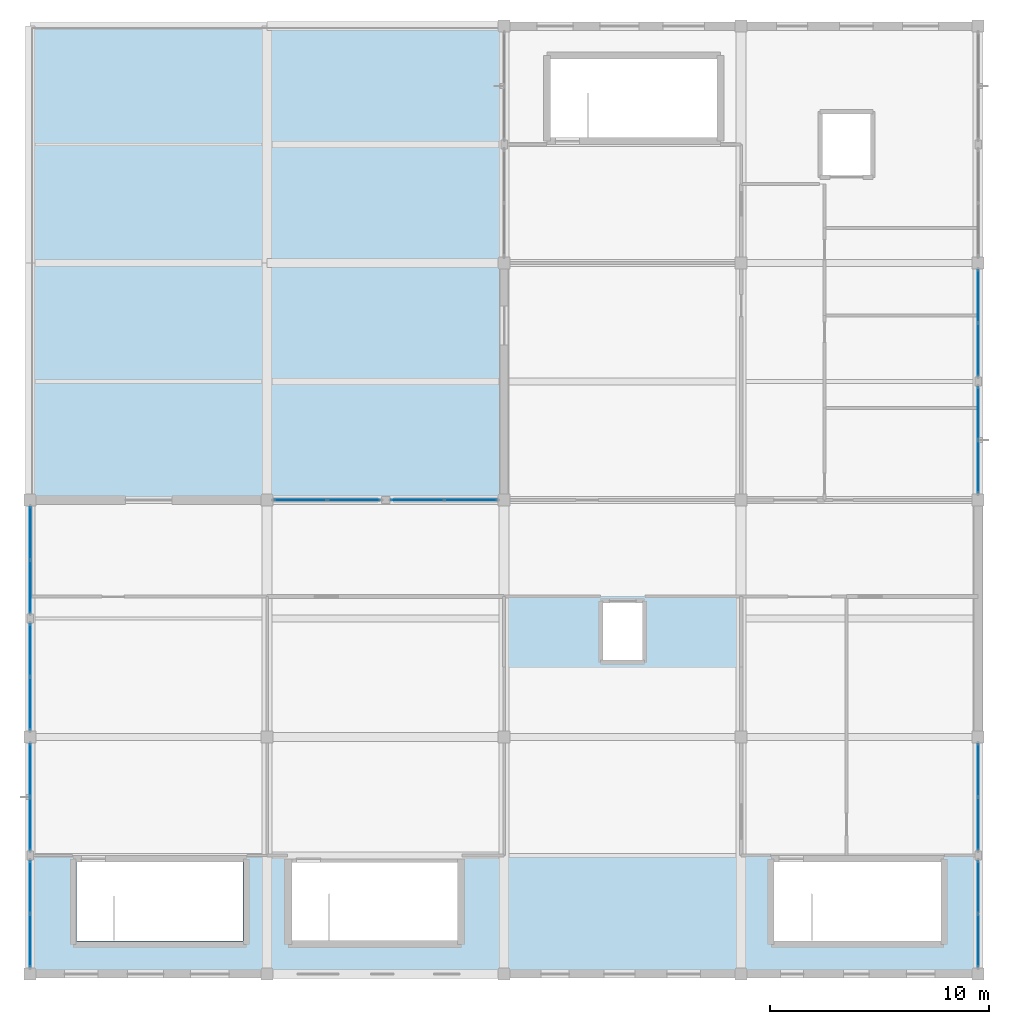
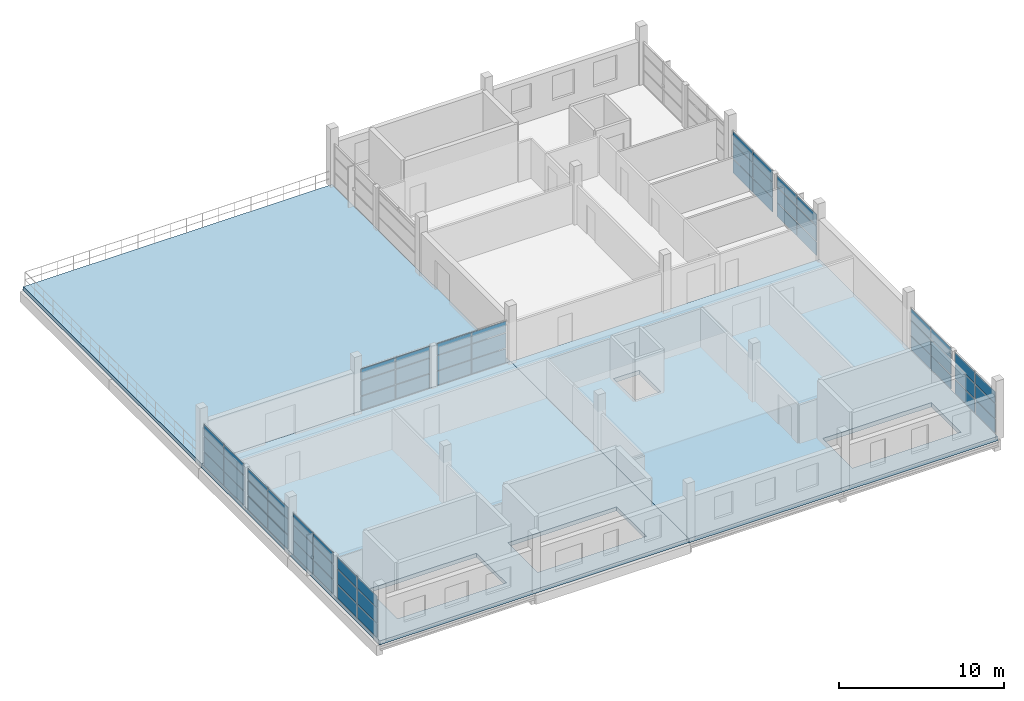
# One storey, part 10 of 15: 60 plates, 3 slabs, 10 elements without a shape of their own.
"""IFC4 building model written with IfcOpenShell, lengths in metres."""

from ifc_helpers import new_model, si_unit, direction, frame, origin, origin_2d, place, context, subcontext, project, spatial, polyline, rectangle, outline, extrude, material, layer, layer_set, type_object, element, aggregate, save


model = new_model("IFC4")

# Units and contexts
model_context = context("Model", 3, precision=1e-05, world=origin(), true_north=direction((0.0, 1.0)))
body_context = subcontext(model_context, "Body", "Model", "MODEL_VIEW")
ifc_project = project(units=[si_unit("LENGTHUNIT", "METRE"), si_unit("AREAUNIT", "SQUARE_METRE"), si_unit("VOLUMEUNIT", "CUBIC_METRE"), si_unit("PLANEANGLEUNIT", "RADIAN"), si_unit("MASSUNIT", "GRAM", prefix="KILO")], contexts=[model_context])

# Site, building, storey
site_placement = place(None, origin())
site = spatial("IfcSite", under=ifc_project, at=site_placement, CompositionType="ELEMENT")
building_placement = place(site_placement, origin())
building = spatial("IfcBuilding", under=site, at=building_placement, Name="Zwinboog Wholesale Market", CompositionType="ELEMENT")
storey_placement = place(building_placement, frame((0.0, 0.0, 14.760009765625)))
storey = spatial("IfcBuildingStorey", under=building, at=storey_placement, Name="L03", CompositionType="ELEMENT", Elevation=14.760009765625)

# Slabs
ifc_material_1 = material(Name="Precast concrete C45/55", Category="concrete")
ifc_layer_1 = layer(ifc_material_1, 0.2919921875)
ifc_layer_set_1 = layer_set([ifc_layer_1], Name="Precast concrete C45/55")
slab_type_1 = type_object("IfcSlabType", Name="SLT-FL-292", PredefinedType="FLOOR", material=ifc_layer_set_1)
slab_1_placement = place(storey_placement, frame((0.0, 0.0, -0.2919921875)))
element("IfcSlab", 1, at=slab_1_placement, inside=storey, type_object=slab_type_1, Name="SF-292 (SLB-L03-059)", PredefinedType="FLOOR", context=body_context, shape_type="SweptSolid", body=[
    extrude(outline(polyline([(129.60009765625, 0.0), (151.199951171875, 0.0), (151.199951171875, 21.60009765625), (129.60009765625, 21.60009765625), (129.60009765625, 0.0)]), holes=[polyline([(131.699951171875, 1.5), (139.300048828125, 1.5), (139.300048828125, 5.10009765625), (131.699951171875, 5.10009765625), (131.699951171875, 1.5)]), polyline([(141.5, 1.5), (149.10009765625, 1.5), (149.10009765625, 5.10009765625), (141.5, 5.10009765625), (141.5, 1.5)])]), origin(), (0.0, 0.0, 1.0), 0.2919921875),
])
ifc_layer_2 = layer(ifc_material_1, 0.318115234375)
ifc_layer_set_2 = layer_set([ifc_layer_2], Name="Precast concrete C45/55")
slab_type_2 = type_object("IfcSlabType", Name="SLT-FL-318", PredefinedType="FLOOR", material=ifc_layer_set_2)
slab_2_placement = place(storey_placement, frame((0.0, 0.0, -0.318115234375)))
element("IfcSlab", 2, at=slab_2_placement, inside=storey, type_object=slab_type_2, Name="SF-318 (SLB-L03-060)", PredefinedType="FLOOR", context=body_context, shape_type="SweptSolid", body=[
    extrude(outline(polyline([(151.199951171875, 0.0), (172.800048828125, 0.0), (172.800048828125, 21.60009765625), (151.199951171875, 21.60009765625), (151.199951171875, 0.0)]), holes=[polyline([(163.5, 1.5), (171.10009765625, 1.5), (171.10009765625, 5.10009765625), (163.5, 5.10009765625), (163.5, 1.5)]), polyline([(155.699951171875, 14.300048828125), (157.5, 14.300048828125), (157.5, 16.89990234375), (155.699951171875, 16.89990234375), (155.699951171875, 14.300048828125)])]), origin(), (0.0, 0.0, 1.0), 0.318115234375),
])
ifc_material_2 = material(Name="Concrete C40/50", Category="concrete")
ifc_layer_3 = layer(ifc_material_2, 0.285888671875)
ifc_layer_set_3 = layer_set([ifc_layer_3], Name="Concrete C40/50")
slab_type_3 = type_object("IfcSlabType", Name="SLT-EX-286", PredefinedType="FLOOR", material=ifc_layer_set_3)
slab_3_placement = place(storey_placement, frame((0.0, 0.0, -0.285888671875)))
element("IfcSlab", 3, at=slab_3_placement, inside=storey, type_object=slab_type_3, Name="Traders' Cooperative Park Roof Terrace", PredefinedType="FLOOR", context=body_context, shape_type="SweptSolid", body=[
    extrude(outline(polyline([(129.60009765625, 21.60009765625), (151.199951171875, 21.60009765625), (151.199951171875, 43.199951171875), (129.60009765625, 43.199951171875), (129.60009765625, 21.60009765625)])), origin(), (0.0, 0.0, 1.0), 0.285888671875),
])

# Curtain wall, plates
ifc_material_3 = material(Name="Aluminium thermally broken curtain wall", Category="aluminium")
curtain_wall_type_1 = type_object("IfcCurtainWallType", Name="CWT-CAFE-22", PredefinedType="USERDEFINED", material=ifc_material_3)
curtain_wall_1_placement = place(storey_placement, origin())
curtain_wall_1 = element("IfcCurtainWall", 4, at=curtain_wall_1_placement, inside=storey, type_object=curtain_wall_type_1, Name="CW-05 (CW-L03-167)", ObjectType="STOREFRONT_GLAZING", PredefinedType="USERDEFINED")
ifc_material_4 = material(Name="Double low-e insulated glazing", Category="glass")
ifc_layer_4 = layer(ifc_material_4, 0.031982421875)
ifc_layer_set_4 = layer_set([ifc_layer_4], Name="Double low-e insulated glazing")
plate_type = type_object("IfcPlateType", Name="CWP-IGU-32", PredefinedType="CURTAIN_PANEL", material=ifc_layer_set_4)
plate_1_placement = place(storey_placement, frame((129.60009765625, 1.518798828125, 0.06494140625), z_axis=(0.0, 0.0, 1.0), x_axis=(0.0, 1.0, 0.0)))
plate_1 = element("IfcPlate", 5, at=plate_1_placement, type_object=plate_type, Name="CW-05 panel 1.1", PredefinedType="CURTAIN_PANEL", context=body_context, shape_type="SweptSolid", body=[
    extrude(rectangle(XDim=2.367431640625, YDim=0.031982421875, at=origin_2d()), origin(), (0.0, 0.0, 1.0), 1.00244140625),
])
plate_2_placement = place(storey_placement, frame((129.60009765625, 1.518798828125, 1.132568359375), z_axis=(0.0, 0.0, 1.0), x_axis=(0.0, 1.0, 0.0)))
plate_2 = element("IfcPlate", 6, at=plate_2_placement, type_object=plate_type, Name="CW-05 panel 1.2", PredefinedType="CURTAIN_PANEL", context=body_context, shape_type="SweptSolid", body=[
    extrude(rectangle(XDim=2.367431640625, YDim=0.031982421875, at=origin_2d()), origin(), (0.0, 0.0, 1.0), 1.0849609375),
])
plate_3_placement = place(storey_placement, frame((129.60009765625, 1.518798828125, 2.28271484375), z_axis=(0.0, 0.0, 1.0), x_axis=(0.0, 1.0, 0.0)))
plate_3 = element("IfcPlate", 7, at=plate_3_placement, type_object=plate_type, Name="CW-05 panel 1.3", PredefinedType="CURTAIN_PANEL", context=body_context, shape_type="SweptSolid", body=[
    extrude(rectangle(XDim=2.367431640625, YDim=0.031982421875, at=origin_2d()), origin(), (0.0, 0.0, 1.0), 0.822509765625),
])
plate_4_placement = place(storey_placement, frame((129.60009765625, 3.951171875, 0.06494140625), z_axis=(0.0, 0.0, 1.0), x_axis=(0.0, 1.0, 0.0)))
plate_4 = element("IfcPlate", 8, at=plate_4_placement, type_object=plate_type, Name="CW-05 panel 2.1", PredefinedType="CURTAIN_PANEL", context=body_context, shape_type="SweptSolid", body=[
    extrude(rectangle(XDim=2.367431640625, YDim=0.031982421875, at=origin_2d()), origin(), (0.0, 0.0, 1.0), 1.00244140625),
])
plate_5_placement = place(storey_placement, frame((129.60009765625, 3.951171875, 1.132568359375), z_axis=(0.0, 0.0, 1.0), x_axis=(0.0, 1.0, 0.0)))
plate_5 = element("IfcPlate", 9, at=plate_5_placement, type_object=plate_type, Name="CW-05 panel 2.2", PredefinedType="CURTAIN_PANEL", context=body_context, shape_type="SweptSolid", body=[
    extrude(rectangle(XDim=2.367431640625, YDim=0.031982421875, at=origin_2d()), origin(), (0.0, 0.0, 1.0), 1.0849609375),
])
plate_6_placement = place(storey_placement, frame((129.60009765625, 3.951171875, 2.28271484375), z_axis=(0.0, 0.0, 1.0), x_axis=(0.0, 1.0, 0.0)))
plate_6 = element("IfcPlate", 10, at=plate_6_placement, type_object=plate_type, Name="CW-05 panel 2.3", PredefinedType="CURTAIN_PANEL", context=body_context, shape_type="SweptSolid", body=[
    extrude(rectangle(XDim=2.367431640625, YDim=0.031982421875, at=origin_2d()), origin(), (0.0, 0.0, 1.0), 0.822509765625),
])
aggregate(curtain_wall_1, [plate_1, plate_2, plate_3, plate_4, plate_5, plate_6])

curtain_wall_type_2 = type_object("IfcCurtainWallType", Name="CWT-OFF-15", PredefinedType="USERDEFINED", material=ifc_material_3)
curtain_wall_2_placement = place(storey_placement, origin())
curtain_wall_2 = element("IfcCurtainWall", 11, at=curtain_wall_2_placement, inside=storey, type_object=curtain_wall_type_2, Name="CW-06 (CW-L03-168)", ObjectType="UNITIZED_CURTAIN_WALL", PredefinedType="USERDEFINED")
plate_7_placement = place(storey_placement, frame((129.60009765625, 6.847412109375, 0.06005859375), z_axis=(0.0, 0.0, 1.0), x_axis=(0.0, 1.0, 0.0)))
plate_7 = element("IfcPlate", 12, at=plate_7_placement, type_object=plate_type, Name="CW-06 panel 1.1", PredefinedType="CURTAIN_PANEL", context=body_context, shape_type="SweptSolid", body=[
    extrude(rectangle(XDim=2.375, YDim=0.031982421875, at=origin_2d()), origin(), (0.0, 0.0, 1.0), 1.010009765625),
])
plate_8_placement = place(storey_placement, frame((129.60009765625, 6.847412109375, 1.1298828125), z_axis=(0.0, 0.0, 1.0), x_axis=(0.0, 1.0, 0.0)))
plate_8 = element("IfcPlate", 13, at=plate_8_placement, type_object=plate_type, Name="CW-06 panel 1.2", PredefinedType="CURTAIN_PANEL", context=body_context, shape_type="SweptSolid", body=[
    extrude(rectangle(XDim=2.375, YDim=0.031982421875, at=origin_2d()), origin(), (0.0, 0.0, 1.0), 1.090087890625),
])
plate_9_placement = place(storey_placement, frame((129.60009765625, 6.847412109375, 2.280029296875), z_axis=(0.0, 0.0, 1.0), x_axis=(0.0, 1.0, 0.0)))
plate_9 = element("IfcPlate", 14, at=plate_9_placement, type_object=plate_type, Name="CW-06 panel 1.3", PredefinedType="CURTAIN_PANEL", context=body_context, shape_type="SweptSolid", body=[
    extrude(rectangle(XDim=2.375, YDim=0.031982421875, at=origin_2d()), origin(), (0.0, 0.0, 1.0), 0.830078125),
])
plate_10_placement = place(storey_placement, frame((129.60009765625, 9.282470703125, 0.06005859375), z_axis=(0.0, 0.0, 1.0), x_axis=(0.0, 1.0, 0.0)))
plate_10 = element("IfcPlate", 15, at=plate_10_placement, type_object=plate_type, Name="CW-06 panel 2.1", PredefinedType="CURTAIN_PANEL", context=body_context, shape_type="SweptSolid", body=[
    extrude(rectangle(XDim=2.375, YDim=0.031982421875, at=origin_2d()), origin(), (0.0, 0.0, 1.0), 1.010009765625),
])
plate_11_placement = place(storey_placement, frame((129.60009765625, 9.282470703125, 1.1298828125), z_axis=(0.0, 0.0, 1.0), x_axis=(0.0, 1.0, 0.0)))
plate_11 = element("IfcPlate", 16, at=plate_11_placement, type_object=plate_type, Name="CW-06 panel 2.2", PredefinedType="CURTAIN_PANEL", context=body_context, shape_type="SweptSolid", body=[
    extrude(rectangle(XDim=2.375, YDim=0.031982421875, at=origin_2d()), origin(), (0.0, 0.0, 1.0), 1.090087890625),
])
plate_12_placement = place(storey_placement, frame((129.60009765625, 9.282470703125, 2.280029296875), z_axis=(0.0, 0.0, 1.0), x_axis=(0.0, 1.0, 0.0)))
plate_12 = element("IfcPlate", 17, at=plate_12_placement, type_object=plate_type, Name="CW-06 panel 2.3", PredefinedType="CURTAIN_PANEL", context=body_context, shape_type="SweptSolid", body=[
    extrude(rectangle(XDim=2.375, YDim=0.031982421875, at=origin_2d()), origin(), (0.0, 0.0, 1.0), 0.830078125),
])
aggregate(curtain_wall_2, [plate_7, plate_8, plate_9, plate_10, plate_11, plate_12])

curtain_wall_type_3 = type_object("IfcCurtainWallType", Name="CWT-STALL-18", PredefinedType="USERDEFINED", material=ifc_material_3)
curtain_wall_3_placement = place(storey_placement, origin())
curtain_wall_3 = element("IfcCurtainWall", 18, at=curtain_wall_3_placement, inside=storey, type_object=curtain_wall_type_3, Name="CW-01 (CW-L03-169)", ObjectType="STOREFRONT_GLAZING", PredefinedType="USERDEFINED")
plate_13_placement = place(storey_placement, frame((129.60009765625, 12.31884765625, 0.06494140625), z_axis=(0.0, 0.0, 1.0), x_axis=(0.0, 1.0, 0.0)))
plate_13 = element("IfcPlate", 19, at=plate_13_placement, type_object=plate_type, Name="CW-01 panel 1.1", PredefinedType="CURTAIN_PANEL", context=body_context, shape_type="SweptSolid", body=[
    extrude(rectangle(XDim=2.367431640625, YDim=0.031982421875, at=origin_2d()), origin(), (0.0, 0.0, 1.0), 1.00244140625),
])
plate_14_placement = place(storey_placement, frame((129.60009765625, 12.31884765625, 1.132568359375), z_axis=(0.0, 0.0, 1.0), x_axis=(0.0, 1.0, 0.0)))
plate_14 = element("IfcPlate", 20, at=plate_14_placement, type_object=plate_type, Name="CW-01 panel 1.2", PredefinedType="CURTAIN_PANEL", context=body_context, shape_type="SweptSolid", body=[
    extrude(rectangle(XDim=2.367431640625, YDim=0.031982421875, at=origin_2d()), origin(), (0.0, 0.0, 1.0), 1.0849609375),
])
plate_15_placement = place(storey_placement, frame((129.60009765625, 12.31884765625, 2.28271484375), z_axis=(0.0, 0.0, 1.0), x_axis=(0.0, 1.0, 0.0)))
plate_15 = element("IfcPlate", 21, at=plate_15_placement, type_object=plate_type, Name="CW-01 panel 1.3", PredefinedType="CURTAIN_PANEL", context=body_context, shape_type="SweptSolid", body=[
    extrude(rectangle(XDim=2.367431640625, YDim=0.031982421875, at=origin_2d()), origin(), (0.0, 0.0, 1.0), 0.822509765625),
])
plate_16_placement = place(storey_placement, frame((129.60009765625, 14.751220703125, 0.06494140625), z_axis=(0.0, 0.0, 1.0), x_axis=(0.0, 1.0, 0.0)))
plate_16 = element("IfcPlate", 22, at=plate_16_placement, type_object=plate_type, Name="CW-01 panel 2.1", PredefinedType="CURTAIN_PANEL", context=body_context, shape_type="SweptSolid", body=[
    extrude(rectangle(XDim=2.367431640625, YDim=0.031982421875, at=origin_2d()), origin(), (0.0, 0.0, 1.0), 1.00244140625),
])
plate_17_placement = place(storey_placement, frame((129.60009765625, 14.751220703125, 1.132568359375), z_axis=(0.0, 0.0, 1.0), x_axis=(0.0, 1.0, 0.0)))
plate_17 = element("IfcPlate", 23, at=plate_17_placement, type_object=plate_type, Name="CW-01 panel 2.2", PredefinedType="CURTAIN_PANEL", context=body_context, shape_type="SweptSolid", body=[
    extrude(rectangle(XDim=2.367431640625, YDim=0.031982421875, at=origin_2d()), origin(), (0.0, 0.0, 1.0), 1.0849609375),
])
plate_18_placement = place(storey_placement, frame((129.60009765625, 14.751220703125, 2.28271484375), z_axis=(0.0, 0.0, 1.0), x_axis=(0.0, 1.0, 0.0)))
plate_18 = element("IfcPlate", 24, at=plate_18_placement, type_object=plate_type, Name="CW-01 panel 2.3", PredefinedType="CURTAIN_PANEL", context=body_context, shape_type="SweptSolid", body=[
    extrude(rectangle(XDim=2.367431640625, YDim=0.031982421875, at=origin_2d()), origin(), (0.0, 0.0, 1.0), 0.822509765625),
])
aggregate(curtain_wall_3, [plate_13, plate_14, plate_15, plate_16, plate_17, plate_18])

curtain_wall_type_4 = type_object("IfcCurtainWallType", Name="CWT-STALL-20", PredefinedType="USERDEFINED", material=ifc_material_3)
curtain_wall_4_placement = place(storey_placement, origin())
curtain_wall_4 = element("IfcCurtainWall", 25, at=curtain_wall_4_placement, inside=storey, type_object=curtain_wall_type_4, Name="CW-02 (CW-L03-170)", ObjectType="STOREFRONT_GLAZING", PredefinedType="USERDEFINED")
plate_19_placement = place(storey_placement, frame((129.60009765625, 17.6474609375, 0.06005859375), z_axis=(0.0, 0.0, 1.0), x_axis=(0.0, 1.0, 0.0)))
plate_19 = element("IfcPlate", 26, at=plate_19_placement, type_object=plate_type, Name="CW-02 panel 1.1", PredefinedType="CURTAIN_PANEL", context=body_context, shape_type="SweptSolid", body=[
    extrude(rectangle(XDim=2.375, YDim=0.031982421875, at=origin_2d()), origin(), (0.0, 0.0, 1.0), 1.010009765625),
])
plate_20_placement = place(storey_placement, frame((129.60009765625, 17.6474609375, 1.1298828125), z_axis=(0.0, 0.0, 1.0), x_axis=(0.0, 1.0, 0.0)))
plate_20 = element("IfcPlate", 27, at=plate_20_placement, type_object=plate_type, Name="CW-02 panel 1.2", PredefinedType="CURTAIN_PANEL", context=body_context, shape_type="SweptSolid", body=[
    extrude(rectangle(XDim=2.375, YDim=0.031982421875, at=origin_2d()), origin(), (0.0, 0.0, 1.0), 1.090087890625),
])
plate_21_placement = place(storey_placement, frame((129.60009765625, 17.6474609375, 2.280029296875), z_axis=(0.0, 0.0, 1.0), x_axis=(0.0, 1.0, 0.0)))
plate_21 = element("IfcPlate", 28, at=plate_21_placement, type_object=plate_type, Name="CW-02 panel 1.3", PredefinedType="CURTAIN_PANEL", context=body_context, shape_type="SweptSolid", body=[
    extrude(rectangle(XDim=2.375, YDim=0.031982421875, at=origin_2d()), origin(), (0.0, 0.0, 1.0), 0.830078125),
])
plate_22_placement = place(storey_placement, frame((129.60009765625, 20.08251953125, 0.06005859375), z_axis=(0.0, 0.0, 1.0), x_axis=(0.0, 1.0, 0.0)))
plate_22 = element("IfcPlate", 29, at=plate_22_placement, type_object=plate_type, Name="CW-02 panel 2.1", PredefinedType="CURTAIN_PANEL", context=body_context, shape_type="SweptSolid", body=[
    extrude(rectangle(XDim=2.375, YDim=0.031982421875, at=origin_2d()), origin(), (0.0, 0.0, 1.0), 1.010009765625),
])
plate_23_placement = place(storey_placement, frame((129.60009765625, 20.08251953125, 1.1298828125), z_axis=(0.0, 0.0, 1.0), x_axis=(0.0, 1.0, 0.0)))
plate_23 = element("IfcPlate", 30, at=plate_23_placement, type_object=plate_type, Name="CW-02 panel 2.2", PredefinedType="CURTAIN_PANEL", context=body_context, shape_type="SweptSolid", body=[
    extrude(rectangle(XDim=2.375, YDim=0.031982421875, at=origin_2d()), origin(), (0.0, 0.0, 1.0), 1.090087890625),
])
plate_24_placement = place(storey_placement, frame((129.60009765625, 20.08251953125, 2.280029296875), z_axis=(0.0, 0.0, 1.0), x_axis=(0.0, 1.0, 0.0)))
plate_24 = element("IfcPlate", 31, at=plate_24_placement, type_object=plate_type, Name="CW-02 panel 2.3", PredefinedType="CURTAIN_PANEL", context=body_context, shape_type="SweptSolid", body=[
    extrude(rectangle(XDim=2.375, YDim=0.031982421875, at=origin_2d()), origin(), (0.0, 0.0, 1.0), 0.830078125),
])
aggregate(curtain_wall_4, [plate_19, plate_20, plate_21, plate_22, plate_23, plate_24])

curtain_wall_type_5 = type_object("IfcCurtainWallType", Name="CWT-HALL-24", PredefinedType="USERDEFINED", material=ifc_material_3)
curtain_wall_5_placement = place(storey_placement, origin())
curtain_wall_5 = element("IfcCurtainWall", 32, at=curtain_wall_5_placement, inside=storey, type_object=curtain_wall_type_5, Name="CW-03 (CW-L03-171)", ObjectType="UNITIZED_CURTAIN_WALL", PredefinedType="USERDEFINED")
plate_25_placement = place(storey_placement, frame((141.918701171875, 21.60009765625, 0.06494140625), z_axis=(0.0, 0.0, 1.0), x_axis=(1.0, 0.0, 0.0)))
plate_25 = element("IfcPlate", 33, at=plate_25_placement, type_object=plate_type, Name="CW-03 panel 1.1", PredefinedType="CURTAIN_PANEL", context=body_context, shape_type="SweptSolid", body=[
    extrude(rectangle(XDim=2.367431640625, YDim=0.031982421875, at=origin_2d()), origin(), (0.0, 0.0, 1.0), 1.00244140625),
])
plate_26_placement = place(storey_placement, frame((141.918701171875, 21.60009765625, 1.132568359375), z_axis=(0.0, 0.0, 1.0), x_axis=(1.0, 0.0, 0.0)))
plate_26 = element("IfcPlate", 34, at=plate_26_placement, type_object=plate_type, Name="CW-03 panel 1.2", PredefinedType="CURTAIN_PANEL", context=body_context, shape_type="SweptSolid", body=[
    extrude(rectangle(XDim=2.367431640625, YDim=0.031982421875, at=origin_2d()), origin(), (0.0, 0.0, 1.0), 1.0849609375),
])
plate_27_placement = place(storey_placement, frame((141.918701171875, 21.60009765625, 2.28271484375), z_axis=(0.0, 0.0, 1.0), x_axis=(1.0, 0.0, 0.0)))
plate_27 = element("IfcPlate", 35, at=plate_27_placement, type_object=plate_type, Name="CW-03 panel 1.3", PredefinedType="CURTAIN_PANEL", context=body_context, shape_type="SweptSolid", body=[
    extrude(rectangle(XDim=2.367431640625, YDim=0.031982421875, at=origin_2d()), origin(), (0.0, 0.0, 1.0), 0.822509765625),
])
plate_28_placement = place(storey_placement, frame((144.351318359375, 21.60009765625, 0.06494140625), z_axis=(0.0, 0.0, 1.0), x_axis=(1.0, 0.0, 0.0)))
plate_28 = element("IfcPlate", 36, at=plate_28_placement, type_object=plate_type, Name="CW-03 panel 2.1", PredefinedType="CURTAIN_PANEL", context=body_context, shape_type="SweptSolid", body=[
    extrude(rectangle(XDim=2.367431640625, YDim=0.031982421875, at=origin_2d()), origin(), (0.0, 0.0, 1.0), 1.00244140625),
])
plate_29_placement = place(storey_placement, frame((144.351318359375, 21.60009765625, 1.132568359375), z_axis=(0.0, 0.0, 1.0), x_axis=(1.0, 0.0, 0.0)))
plate_29 = element("IfcPlate", 37, at=plate_29_placement, type_object=plate_type, Name="CW-03 panel 2.2", PredefinedType="CURTAIN_PANEL", context=body_context, shape_type="SweptSolid", body=[
    extrude(rectangle(XDim=2.367431640625, YDim=0.031982421875, at=origin_2d()), origin(), (0.0, 0.0, 1.0), 1.0849609375),
])
plate_30_placement = place(storey_placement, frame((144.351318359375, 21.60009765625, 2.28271484375), z_axis=(0.0, 0.0, 1.0), x_axis=(1.0, 0.0, 0.0)))
plate_30 = element("IfcPlate", 38, at=plate_30_placement, type_object=plate_type, Name="CW-03 panel 2.3", PredefinedType="CURTAIN_PANEL", context=body_context, shape_type="SweptSolid", body=[
    extrude(rectangle(XDim=2.367431640625, YDim=0.031982421875, at=origin_2d()), origin(), (0.0, 0.0, 1.0), 0.822509765625),
])
aggregate(curtain_wall_5, [plate_25, plate_26, plate_27, plate_28, plate_29, plate_30])

curtain_wall_type_6 = type_object("IfcCurtainWallType", Name="CWT-GAL-16", PredefinedType="USERDEFINED", material=ifc_material_3)
curtain_wall_6_placement = place(storey_placement, origin())
curtain_wall_6 = element("IfcCurtainWall", 39, at=curtain_wall_6_placement, inside=storey, type_object=curtain_wall_type_6, Name="CW-04 (CW-L03-172)", ObjectType="UNITIZED_CURTAIN_WALL", PredefinedType="USERDEFINED")
plate_31_placement = place(storey_placement, frame((147.24755859375, 21.60009765625, 0.06005859375), z_axis=(0.0, 0.0, 1.0), x_axis=(1.0, 0.0, 0.0)))
plate_31 = element("IfcPlate", 40, at=plate_31_placement, type_object=plate_type, Name="CW-04 panel 1.1", PredefinedType="CURTAIN_PANEL", context=body_context, shape_type="SweptSolid", body=[
    extrude(rectangle(XDim=2.375, YDim=0.031982421875, at=origin_2d()), origin(), (0.0, 0.0, 1.0), 1.010009765625),
])
plate_32_placement = place(storey_placement, frame((147.24755859375, 21.60009765625, 1.1298828125), z_axis=(0.0, 0.0, 1.0), x_axis=(1.0, 0.0, 0.0)))
plate_32 = element("IfcPlate", 41, at=plate_32_placement, type_object=plate_type, Name="CW-04 panel 1.2", PredefinedType="CURTAIN_PANEL", context=body_context, shape_type="SweptSolid", body=[
    extrude(rectangle(XDim=2.375, YDim=0.031982421875, at=origin_2d()), origin(), (0.0, 0.0, 1.0), 1.090087890625),
])
plate_33_placement = place(storey_placement, frame((147.24755859375, 21.60009765625, 2.280029296875), z_axis=(0.0, 0.0, 1.0), x_axis=(1.0, 0.0, 0.0)))
plate_33 = element("IfcPlate", 42, at=plate_33_placement, type_object=plate_type, Name="CW-04 panel 1.3", PredefinedType="CURTAIN_PANEL", context=body_context, shape_type="SweptSolid", body=[
    extrude(rectangle(XDim=2.375, YDim=0.031982421875, at=origin_2d()), origin(), (0.0, 0.0, 1.0), 0.830078125),
])
plate_34_placement = place(storey_placement, frame((149.6826171875, 21.60009765625, 0.06005859375), z_axis=(0.0, 0.0, 1.0), x_axis=(1.0, 0.0, 0.0)))
plate_34 = element("IfcPlate", 43, at=plate_34_placement, type_object=plate_type, Name="CW-04 panel 2.1", PredefinedType="CURTAIN_PANEL", context=body_context, shape_type="SweptSolid", body=[
    extrude(rectangle(XDim=2.375, YDim=0.031982421875, at=origin_2d()), origin(), (0.0, 0.0, 1.0), 1.010009765625),
])
plate_35_placement = place(storey_placement, frame((149.6826171875, 21.60009765625, 1.1298828125), z_axis=(0.0, 0.0, 1.0), x_axis=(1.0, 0.0, 0.0)))
plate_35 = element("IfcPlate", 44, at=plate_35_placement, type_object=plate_type, Name="CW-04 panel 2.2", PredefinedType="CURTAIN_PANEL", context=body_context, shape_type="SweptSolid", body=[
    extrude(rectangle(XDim=2.375, YDim=0.031982421875, at=origin_2d()), origin(), (0.0, 0.0, 1.0), 1.090087890625),
])
plate_36_placement = place(storey_placement, frame((149.6826171875, 21.60009765625, 2.280029296875), z_axis=(0.0, 0.0, 1.0), x_axis=(1.0, 0.0, 0.0)))
plate_36 = element("IfcPlate", 45, at=plate_36_placement, type_object=plate_type, Name="CW-04 panel 2.3", PredefinedType="CURTAIN_PANEL", context=body_context, shape_type="SweptSolid", body=[
    extrude(rectangle(XDim=2.375, YDim=0.031982421875, at=origin_2d()), origin(), (0.0, 0.0, 1.0), 0.830078125),
])
aggregate(curtain_wall_6, [plate_31, plate_32, plate_33, plate_34, plate_35, plate_36])

curtain_wall_7_placement = place(storey_placement, origin())
curtain_wall_7 = element("IfcCurtainWall", 46, at=curtain_wall_7_placement, inside=storey, type_object=curtain_wall_type_3, Name="CW-01 (CW-L03-175)", ObjectType="STOREFRONT_GLAZING", PredefinedType="USERDEFINED")
plate_37_placement = place(storey_placement, frame((172.800048828125, 1.518798828125, 0.06494140625), z_axis=(0.0, 0.0, 1.0), x_axis=(0.0, 1.0, 0.0)))
plate_37 = element("IfcPlate", 47, at=plate_37_placement, type_object=plate_type, Name="CW-01 panel 1.1", PredefinedType="CURTAIN_PANEL", context=body_context, shape_type="SweptSolid", body=[
    extrude(rectangle(XDim=2.367431640625, YDim=0.031982421875, at=origin_2d()), origin(), (0.0, 0.0, 1.0), 1.00244140625),
])
plate_38_placement = place(storey_placement, frame((172.800048828125, 1.518798828125, 1.132568359375), z_axis=(0.0, 0.0, 1.0), x_axis=(0.0, 1.0, 0.0)))
plate_38 = element("IfcPlate", 48, at=plate_38_placement, type_object=plate_type, Name="CW-01 panel 1.2", PredefinedType="CURTAIN_PANEL", context=body_context, shape_type="SweptSolid", body=[
    extrude(rectangle(XDim=2.367431640625, YDim=0.031982421875, at=origin_2d()), origin(), (0.0, 0.0, 1.0), 1.0849609375),
])
plate_39_placement = place(storey_placement, frame((172.800048828125, 1.518798828125, 2.28271484375), z_axis=(0.0, 0.0, 1.0), x_axis=(0.0, 1.0, 0.0)))
plate_39 = element("IfcPlate", 49, at=plate_39_placement, type_object=plate_type, Name="CW-01 panel 1.3", PredefinedType="CURTAIN_PANEL", context=body_context, shape_type="SweptSolid", body=[
    extrude(rectangle(XDim=2.367431640625, YDim=0.031982421875, at=origin_2d()), origin(), (0.0, 0.0, 1.0), 0.822509765625),
])
plate_40_placement = place(storey_placement, frame((172.800048828125, 3.951171875, 0.06494140625), z_axis=(0.0, 0.0, 1.0), x_axis=(0.0, 1.0, 0.0)))
plate_40 = element("IfcPlate", 50, at=plate_40_placement, type_object=plate_type, Name="CW-01 panel 2.1", PredefinedType="CURTAIN_PANEL", context=body_context, shape_type="SweptSolid", body=[
    extrude(rectangle(XDim=2.367431640625, YDim=0.031982421875, at=origin_2d()), origin(), (0.0, 0.0, 1.0), 1.00244140625),
])
plate_41_placement = place(storey_placement, frame((172.800048828125, 3.951171875, 1.132568359375), z_axis=(0.0, 0.0, 1.0), x_axis=(0.0, 1.0, 0.0)))
plate_41 = element("IfcPlate", 51, at=plate_41_placement, type_object=plate_type, Name="CW-01 panel 2.2", PredefinedType="CURTAIN_PANEL", context=body_context, shape_type="SweptSolid", body=[
    extrude(rectangle(XDim=2.367431640625, YDim=0.031982421875, at=origin_2d()), origin(), (0.0, 0.0, 1.0), 1.0849609375),
])
plate_42_placement = place(storey_placement, frame((172.800048828125, 3.951171875, 2.28271484375), z_axis=(0.0, 0.0, 1.0), x_axis=(0.0, 1.0, 0.0)))
plate_42 = element("IfcPlate", 52, at=plate_42_placement, type_object=plate_type, Name="CW-01 panel 2.3", PredefinedType="CURTAIN_PANEL", context=body_context, shape_type="SweptSolid", body=[
    extrude(rectangle(XDim=2.367431640625, YDim=0.031982421875, at=origin_2d()), origin(), (0.0, 0.0, 1.0), 0.822509765625),
])
aggregate(curtain_wall_7, [plate_37, plate_38, plate_39, plate_40, plate_41, plate_42])

curtain_wall_8_placement = place(storey_placement, origin())
curtain_wall_8 = element("IfcCurtainWall", 53, at=curtain_wall_8_placement, inside=storey, type_object=curtain_wall_type_4, Name="CW-02 (CW-L03-176)", ObjectType="STOREFRONT_GLAZING", PredefinedType="USERDEFINED")
plate_43_placement = place(storey_placement, frame((172.800048828125, 6.847412109375, 0.06005859375), z_axis=(0.0, 0.0, 1.0), x_axis=(0.0, 1.0, 0.0)))
plate_43 = element("IfcPlate", 54, at=plate_43_placement, type_object=plate_type, Name="CW-02 panel 1.1", PredefinedType="CURTAIN_PANEL", context=body_context, shape_type="SweptSolid", body=[
    extrude(rectangle(XDim=2.375, YDim=0.031982421875, at=origin_2d()), origin(), (0.0, 0.0, 1.0), 1.010009765625),
])
plate_44_placement = place(storey_placement, frame((172.800048828125, 6.847412109375, 1.1298828125), z_axis=(0.0, 0.0, 1.0), x_axis=(0.0, 1.0, 0.0)))
plate_44 = element("IfcPlate", 55, at=plate_44_placement, type_object=plate_type, Name="CW-02 panel 1.2", PredefinedType="CURTAIN_PANEL", context=body_context, shape_type="SweptSolid", body=[
    extrude(rectangle(XDim=2.375, YDim=0.031982421875, at=origin_2d()), origin(), (0.0, 0.0, 1.0), 1.090087890625),
])
plate_45_placement = place(storey_placement, frame((172.800048828125, 6.847412109375, 2.280029296875), z_axis=(0.0, 0.0, 1.0), x_axis=(0.0, 1.0, 0.0)))
plate_45 = element("IfcPlate", 56, at=plate_45_placement, type_object=plate_type, Name="CW-02 panel 1.3", PredefinedType="CURTAIN_PANEL", context=body_context, shape_type="SweptSolid", body=[
    extrude(rectangle(XDim=2.375, YDim=0.031982421875, at=origin_2d()), origin(), (0.0, 0.0, 1.0), 0.830078125),
])
plate_46_placement = place(storey_placement, frame((172.800048828125, 9.282470703125, 0.06005859375), z_axis=(0.0, 0.0, 1.0), x_axis=(0.0, 1.0, 0.0)))
plate_46 = element("IfcPlate", 57, at=plate_46_placement, type_object=plate_type, Name="CW-02 panel 2.1", PredefinedType="CURTAIN_PANEL", context=body_context, shape_type="SweptSolid", body=[
    extrude(rectangle(XDim=2.375, YDim=0.031982421875, at=origin_2d()), origin(), (0.0, 0.0, 1.0), 1.010009765625),
])
plate_47_placement = place(storey_placement, frame((172.800048828125, 9.282470703125, 1.1298828125), z_axis=(0.0, 0.0, 1.0), x_axis=(0.0, 1.0, 0.0)))
plate_47 = element("IfcPlate", 58, at=plate_47_placement, type_object=plate_type, Name="CW-02 panel 2.2", PredefinedType="CURTAIN_PANEL", context=body_context, shape_type="SweptSolid", body=[
    extrude(rectangle(XDim=2.375, YDim=0.031982421875, at=origin_2d()), origin(), (0.0, 0.0, 1.0), 1.090087890625),
])
plate_48_placement = place(storey_placement, frame((172.800048828125, 9.282470703125, 2.280029296875), z_axis=(0.0, 0.0, 1.0), x_axis=(0.0, 1.0, 0.0)))
plate_48 = element("IfcPlate", 59, at=plate_48_placement, type_object=plate_type, Name="CW-02 panel 2.3", PredefinedType="CURTAIN_PANEL", context=body_context, shape_type="SweptSolid", body=[
    extrude(rectangle(XDim=2.375, YDim=0.031982421875, at=origin_2d()), origin(), (0.0, 0.0, 1.0), 0.830078125),
])
aggregate(curtain_wall_8, [plate_43, plate_44, plate_45, plate_46, plate_47, plate_48])

curtain_wall_9_placement = place(storey_placement, origin())
curtain_wall_9 = element("IfcCurtainWall", 60, at=curtain_wall_9_placement, inside=storey, type_object=curtain_wall_type_5, Name="CW-03 (CW-L03-177)", ObjectType="UNITIZED_CURTAIN_WALL", PredefinedType="USERDEFINED")
plate_49_placement = place(storey_placement, frame((172.800048828125, 23.11865234375, 0.06494140625), z_axis=(0.0, 0.0, 1.0), x_axis=(0.0, 1.0, 0.0)))
plate_49 = element("IfcPlate", 61, at=plate_49_placement, type_object=plate_type, Name="CW-03 panel 1.1", PredefinedType="CURTAIN_PANEL", context=body_context, shape_type="SweptSolid", body=[
    extrude(rectangle(XDim=2.367431640625, YDim=0.031982421875, at=origin_2d()), origin(), (0.0, 0.0, 1.0), 1.00244140625),
])
plate_50_placement = place(storey_placement, frame((172.800048828125, 23.11865234375, 1.132568359375), z_axis=(0.0, 0.0, 1.0), x_axis=(0.0, 1.0, 0.0)))
plate_50 = element("IfcPlate", 62, at=plate_50_placement, type_object=plate_type, Name="CW-03 panel 1.2", PredefinedType="CURTAIN_PANEL", context=body_context, shape_type="SweptSolid", body=[
    extrude(rectangle(XDim=2.367431640625, YDim=0.031982421875, at=origin_2d()), origin(), (0.0, 0.0, 1.0), 1.0849609375),
])
plate_51_placement = place(storey_placement, frame((172.800048828125, 23.11865234375, 2.28271484375), z_axis=(0.0, 0.0, 1.0), x_axis=(0.0, 1.0, 0.0)))
plate_51 = element("IfcPlate", 63, at=plate_51_placement, type_object=plate_type, Name="CW-03 panel 1.3", PredefinedType="CURTAIN_PANEL", context=body_context, shape_type="SweptSolid", body=[
    extrude(rectangle(XDim=2.367431640625, YDim=0.031982421875, at=origin_2d()), origin(), (0.0, 0.0, 1.0), 0.822509765625),
])
plate_52_placement = place(storey_placement, frame((172.800048828125, 25.55126953125, 0.06494140625), z_axis=(0.0, 0.0, 1.0), x_axis=(0.0, 1.0, 0.0)))
plate_52 = element("IfcPlate", 64, at=plate_52_placement, type_object=plate_type, Name="CW-03 panel 2.1", PredefinedType="CURTAIN_PANEL", context=body_context, shape_type="SweptSolid", body=[
    extrude(rectangle(XDim=2.367431640625, YDim=0.031982421875, at=origin_2d()), origin(), (0.0, 0.0, 1.0), 1.00244140625),
])
plate_53_placement = place(storey_placement, frame((172.800048828125, 25.55126953125, 1.132568359375), z_axis=(0.0, 0.0, 1.0), x_axis=(0.0, 1.0, 0.0)))
plate_53 = element("IfcPlate", 65, at=plate_53_placement, type_object=plate_type, Name="CW-03 panel 2.2", PredefinedType="CURTAIN_PANEL", context=body_context, shape_type="SweptSolid", body=[
    extrude(rectangle(XDim=2.367431640625, YDim=0.031982421875, at=origin_2d()), origin(), (0.0, 0.0, 1.0), 1.0849609375),
])
plate_54_placement = place(storey_placement, frame((172.800048828125, 25.55126953125, 2.28271484375), z_axis=(0.0, 0.0, 1.0), x_axis=(0.0, 1.0, 0.0)))
plate_54 = element("IfcPlate", 66, at=plate_54_placement, type_object=plate_type, Name="CW-03 panel 2.3", PredefinedType="CURTAIN_PANEL", context=body_context, shape_type="SweptSolid", body=[
    extrude(rectangle(XDim=2.367431640625, YDim=0.031982421875, at=origin_2d()), origin(), (0.0, 0.0, 1.0), 0.822509765625),
])
aggregate(curtain_wall_9, [plate_49, plate_50, plate_51, plate_52, plate_53, plate_54])

curtain_wall_10_placement = place(storey_placement, origin())
curtain_wall_10 = element("IfcCurtainWall", 67, at=curtain_wall_10_placement, inside=storey, type_object=curtain_wall_type_6, Name="CW-04 (CW-L03-178)", ObjectType="UNITIZED_CURTAIN_WALL", PredefinedType="USERDEFINED")
plate_55_placement = place(storey_placement, frame((172.800048828125, 28.447509765625, 0.06005859375), z_axis=(0.0, 0.0, 1.0), x_axis=(0.0, 1.0, 0.0)))
plate_55 = element("IfcPlate", 68, at=plate_55_placement, type_object=plate_type, Name="CW-04 panel 1.1", PredefinedType="CURTAIN_PANEL", context=body_context, shape_type="SweptSolid", body=[
    extrude(rectangle(XDim=2.375, YDim=0.031982421875, at=origin_2d()), origin(), (0.0, 0.0, 1.0), 1.010009765625),
])
plate_56_placement = place(storey_placement, frame((172.800048828125, 28.447509765625, 1.1298828125), z_axis=(0.0, 0.0, 1.0), x_axis=(0.0, 1.0, 0.0)))
plate_56 = element("IfcPlate", 69, at=plate_56_placement, type_object=plate_type, Name="CW-04 panel 1.2", PredefinedType="CURTAIN_PANEL", context=body_context, shape_type="SweptSolid", body=[
    extrude(rectangle(XDim=2.375, YDim=0.031982421875, at=origin_2d()), origin(), (0.0, 0.0, 1.0), 1.090087890625),
])
plate_57_placement = place(storey_placement, frame((172.800048828125, 28.447509765625, 2.280029296875), z_axis=(0.0, 0.0, 1.0), x_axis=(0.0, 1.0, 0.0)))
plate_57 = element("IfcPlate", 70, at=plate_57_placement, type_object=plate_type, Name="CW-04 panel 1.3", PredefinedType="CURTAIN_PANEL", context=body_context, shape_type="SweptSolid", body=[
    extrude(rectangle(XDim=2.375, YDim=0.031982421875, at=origin_2d()), origin(), (0.0, 0.0, 1.0), 0.830078125),
])
plate_58_placement = place(storey_placement, frame((172.800048828125, 30.882568359375, 0.06005859375), z_axis=(0.0, 0.0, 1.0), x_axis=(0.0, 1.0, 0.0)))
plate_58 = element("IfcPlate", 71, at=plate_58_placement, type_object=plate_type, Name="CW-04 panel 2.1", PredefinedType="CURTAIN_PANEL", context=body_context, shape_type="SweptSolid", body=[
    extrude(rectangle(XDim=2.375, YDim=0.031982421875, at=origin_2d()), origin(), (0.0, 0.0, 1.0), 1.010009765625),
])
plate_59_placement = place(storey_placement, frame((172.800048828125, 30.882568359375, 1.1298828125), z_axis=(0.0, 0.0, 1.0), x_axis=(0.0, 1.0, 0.0)))
plate_59 = element("IfcPlate", 72, at=plate_59_placement, type_object=plate_type, Name="CW-04 panel 2.2", PredefinedType="CURTAIN_PANEL", context=body_context, shape_type="SweptSolid", body=[
    extrude(rectangle(XDim=2.375, YDim=0.031982421875, at=origin_2d()), origin(), (0.0, 0.0, 1.0), 1.090087890625),
])
plate_60_placement = place(storey_placement, frame((172.800048828125, 30.882568359375, 2.280029296875), z_axis=(0.0, 0.0, 1.0), x_axis=(0.0, 1.0, 0.0)))
plate_60 = element("IfcPlate", 73, at=plate_60_placement, type_object=plate_type, Name="CW-04 panel 2.3", PredefinedType="CURTAIN_PANEL", context=body_context, shape_type="SweptSolid", body=[
    extrude(rectangle(XDim=2.375, YDim=0.031982421875, at=origin_2d()), origin(), (0.0, 0.0, 1.0), 0.830078125),
])
aggregate(curtain_wall_10, [plate_55, plate_56, plate_57, plate_58, plate_59, plate_60])

save(model, "model.ifc")
